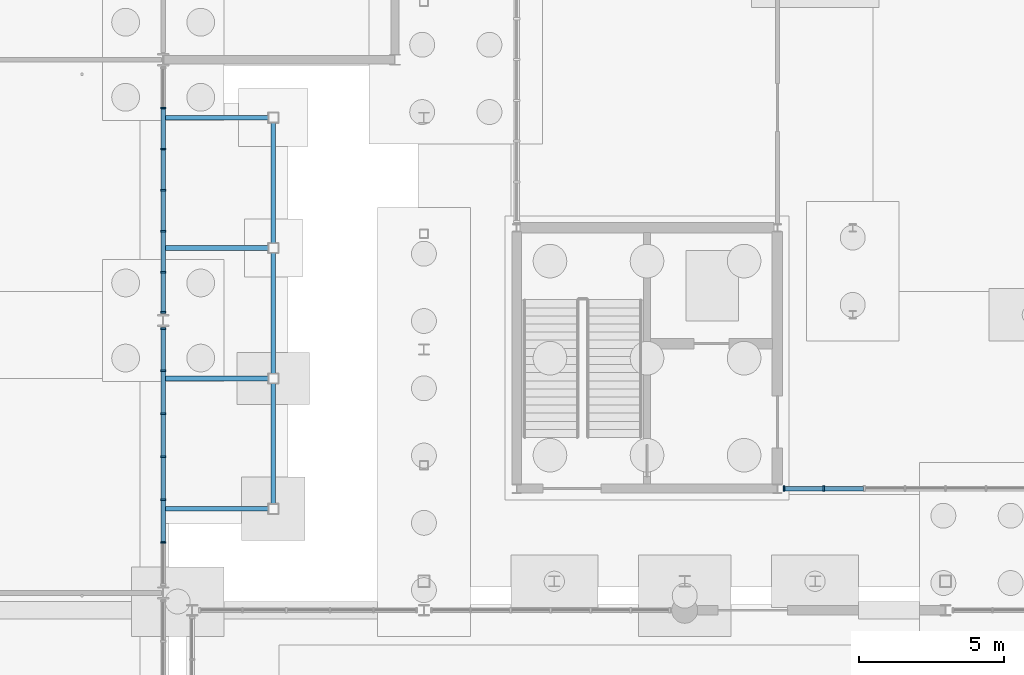
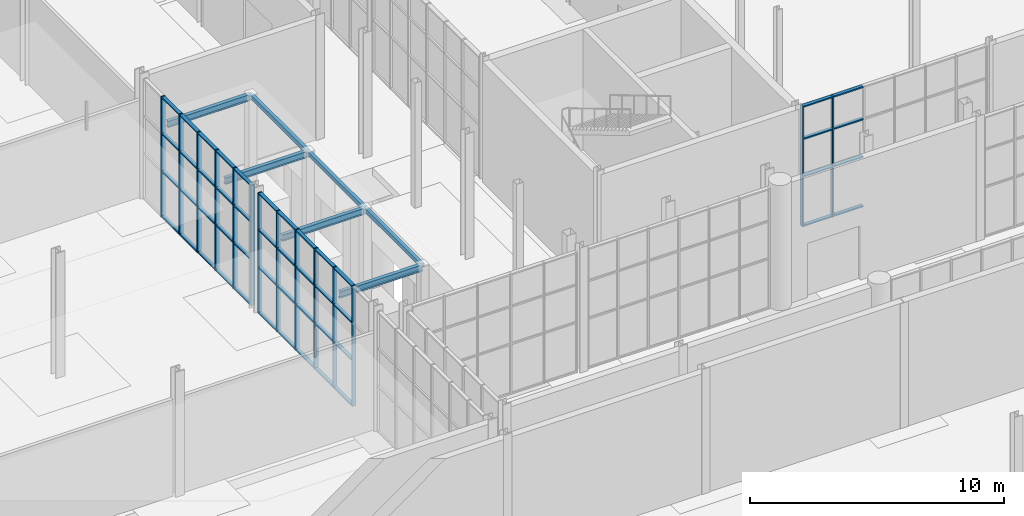
# One storey, part 51 of 131: 62 members, 7 beams, 3 elements without a shape of their own.
"""IFC4 building model written with IfcOpenShell, lengths in metres."""

from ifc_helpers import new_model, si_unit, direction, frame, origin, origin_2d, place, context, subcontext, project, spatial, rectangle, hollow_rectangle, i_section, extrude, material, layer, layer_set, material_profile, profile_set, type_object, element, aggregate, save


model = new_model("IFC4")

# Units and contexts
model_context = context("Model", 3, precision=1e-05, world=origin(), true_north=direction((0.0, 1.0)))
body_context = subcontext(model_context, "Body", "Model", "MODEL_VIEW")
ifc_project = project(units=[si_unit("LENGTHUNIT", "METRE"), si_unit("AREAUNIT", "SQUARE_METRE"), si_unit("VOLUMEUNIT", "CUBIC_METRE"), si_unit("PLANEANGLEUNIT", "RADIAN"), si_unit("MASSUNIT", "GRAM", prefix="KILO")], contexts=[model_context])

# Site, building, storey
site_placement = place(None, origin())
site = spatial("IfcSite", under=ifc_project, at=site_placement, CompositionType="ELEMENT")
building_placement = place(site_placement, origin())
building = spatial("IfcBuilding", under=site, at=building_placement, Name="Cazmaro Siding Exhibition Halls", CompositionType="ELEMENT")
storey_placement = place(building_placement, origin())
storey = spatial("IfcBuildingStorey", under=building, at=storey_placement, Name="L00", CompositionType="ELEMENT", Elevation=0.0)

# Curtain wall, members
ifc_material_1 = material(Name="Anodized Bronze Aluminum and Solar-Control Low-E Glazing", Category="aluminium")
ifc_layer = layer(ifc_material_1, 0.179931640625)
ifc_layer_set = layer_set([ifc_layer], Name="Anodized Bronze Aluminum and Solar-Control Low-E Glazing")
curtain_wall_type = type_object("IfcCurtainWallType", Name="CWS-01", PredefinedType="USERDEFINED", material=ifc_layer_set)
curtain_wall_1_placement = place(storey_placement, origin())
curtain_wall_1 = element("IfcCurtainWall", 1, at=curtain_wall_1_placement, inside=storey, type_object=curtain_wall_type, Name="Glazed Curtain Wall CWS-01 CW-003", ObjectType="GLAZED CURTAIN WALL", PredefinedType="USERDEFINED")
ifc_material_2 = material(Name="Anodized Bronze Extruded Aluminum", Category="aluminium")
ifc_material_profile_1 = material_profile(ifc_material_2, rectangle(XDim=0.179931640625, YDim=0.06005859375, at=origin_2d()), Name="CWM-01")
ifc_profile_set_1 = profile_set([ifc_material_profile_1], Name="Anodized Bronze Extruded Aluminum")
member_type_1 = type_object("IfcMemberType", Name="CWM-01", PredefinedType="MULLION", material=ifc_profile_set_1)
member_1_placement = place(storey_placement, frame((57.427001953125, 67.199951171875, 0.0), z_axis=(0.0, 0.0, 1.0), x_axis=(0.0, 1.0, 0.0)))
member_1 = element("IfcMember", 2, at=member_1_placement, type_object=member_type_1, Name="CWS-01 mullion 1", PredefinedType="MULLION", context=body_context, shape_type="SweptSolid", body=[
    extrude(rectangle(XDim=0.179931640625, YDim=0.06005859375, at=origin_2d()), origin(), (0.0, 0.0, 1.0), 5.780029296875),
])
member_2_placement = place(storey_placement, frame((58.798095703125, 67.199951171875, 0.0), z_axis=(0.0, 0.0, 1.0), x_axis=(0.0, 1.0, 0.0)))
member_2 = element("IfcMember", 3, at=member_2_placement, type_object=member_type_1, Name="CWS-01 mullion 2", PredefinedType="MULLION", context=body_context, shape_type="SweptSolid", body=[
    extrude(rectangle(XDim=0.179931640625, YDim=0.06005859375, at=origin_2d()), origin(), (0.0, 0.0, 1.0), 5.780029296875),
])

curtain_wall_2_placement = place(storey_placement, origin())
curtain_wall_2 = element("IfcCurtainWall", 4, at=curtain_wall_2_placement, inside=storey, type_object=curtain_wall_type, Name="Glazed Curtain Wall CWS-01 CW-225", ObjectType="GLAZED CURTAIN WALL", PredefinedType="USERDEFINED")
member_3_placement = place(storey_placement, frame((36.0, 65.33544921875, 0.0), z_axis=(0.0, 0.0, 1.0), x_axis=(-1.0, 0.0, 0.0)))
member_3 = element("IfcMember", 5, at=member_3_placement, type_object=member_type_1, Name="CWS-01 mullion 2", PredefinedType="MULLION", context=body_context, shape_type="SweptSolid", body=[
    extrude(rectangle(XDim=0.179931640625, YDim=0.06005859375, at=origin_2d()), origin(), (0.0, 0.0, 1.0), 5.780029296875),
])
member_4_placement = place(storey_placement, frame((36.0, 66.817626953125, 0.0), z_axis=(0.0, 0.0, 1.0), x_axis=(-1.0, 0.0, 0.0)))
member_4 = element("IfcMember", 6, at=member_4_placement, type_object=member_type_1, Name="CWS-01 mullion 3", PredefinedType="MULLION", context=body_context, shape_type="SweptSolid", body=[
    extrude(rectangle(XDim=0.179931640625, YDim=0.06005859375, at=origin_2d()), origin(), (0.0, 0.0, 1.0), 5.780029296875),
])
member_5_placement = place(storey_placement, frame((36.0, 68.300048828125, 0.0), z_axis=(0.0, 0.0, 1.0), x_axis=(-1.0, 0.0, 0.0)))
member_5 = element("IfcMember", 7, at=member_5_placement, type_object=member_type_1, Name="CWS-01 mullion 4", PredefinedType="MULLION", context=body_context, shape_type="SweptSolid", body=[
    extrude(rectangle(XDim=0.179931640625, YDim=0.06005859375, at=origin_2d()), origin(), (0.0, 0.0, 1.0), 5.780029296875),
])
member_6_placement = place(storey_placement, frame((36.0, 69.7822265625, 0.0), z_axis=(0.0, 0.0, 1.0), x_axis=(-1.0, 0.0, 0.0)))
member_6 = element("IfcMember", 8, at=member_6_placement, type_object=member_type_1, Name="CWS-01 mullion 5", PredefinedType="MULLION", context=body_context, shape_type="SweptSolid", body=[
    extrude(rectangle(XDim=0.179931640625, YDim=0.06005859375, at=origin_2d()), origin(), (0.0, 0.0, 1.0), 5.780029296875),
])
member_7_placement = place(storey_placement, frame((36.0, 71.2646484375, 0.0), z_axis=(0.0, 0.0, 1.0), x_axis=(-1.0, 0.0, 0.0)))
member_7 = element("IfcMember", 9, at=member_7_placement, type_object=member_type_1, Name="CWS-01 mullion 6", PredefinedType="MULLION", context=body_context, shape_type="SweptSolid", body=[
    extrude(rectangle(XDim=0.179931640625, YDim=0.06005859375, at=origin_2d()), origin(), (0.0, 0.0, 1.0), 5.780029296875),
])
member_8_placement = place(storey_placement, frame((36.0, 72.717041015625, 0.0), z_axis=(0.0, 0.0, 1.0), x_axis=(-1.0, 0.0, 0.0)))
member_8 = element("IfcMember", 10, at=member_8_placement, type_object=member_type_1, Name="CWS-01 mullion 7", PredefinedType="MULLION", context=body_context, shape_type="SweptSolid", body=[
    extrude(rectangle(XDim=0.179931640625, YDim=0.06005859375, at=origin_2d()), origin(), (0.0, 0.0, 1.0), 5.780029296875),
])

curtain_wall_3_placement = place(storey_placement, origin())
curtain_wall_3 = element("IfcCurtainWall", 11, at=curtain_wall_3_placement, inside=storey, type_object=curtain_wall_type, Name="Glazed Curtain Wall CWS-01 CW-226", ObjectType="GLAZED CURTAIN WALL", PredefinedType="USERDEFINED")
member_9_placement = place(storey_placement, frame((36.0, 73.282958984375, 0.0), z_axis=(0.0, 0.0, 1.0), x_axis=(-1.0, 0.0, 0.0)))
member_9 = element("IfcMember", 12, at=member_9_placement, type_object=member_type_1, Name="CWS-01 mullion 1", PredefinedType="MULLION", context=body_context, shape_type="SweptSolid", body=[
    extrude(rectangle(XDim=0.179931640625, YDim=0.06005859375, at=origin_2d()), origin(), (0.0, 0.0, 1.0), 5.780029296875),
])
member_10_placement = place(storey_placement, frame((36.0, 74.668701171875, 0.0), z_axis=(0.0, 0.0, 1.0), x_axis=(-1.0, 0.0, 0.0)))
member_10 = element("IfcMember", 13, at=member_10_placement, type_object=member_type_1, Name="CWS-01 mullion 2", PredefinedType="MULLION", context=body_context, shape_type="SweptSolid", body=[
    extrude(rectangle(XDim=0.179931640625, YDim=0.06005859375, at=origin_2d()), origin(), (0.0, 0.0, 1.0), 5.780029296875),
])
member_11_placement = place(storey_placement, frame((36.0, 76.084228515625, 0.0), z_axis=(0.0, 0.0, 1.0), x_axis=(-1.0, 0.0, 0.0)))
member_11 = element("IfcMember", 14, at=member_11_placement, type_object=member_type_1, Name="CWS-01 mullion 3", PredefinedType="MULLION", context=body_context, shape_type="SweptSolid", body=[
    extrude(rectangle(XDim=0.179931640625, YDim=0.06005859375, at=origin_2d()), origin(), (0.0, 0.0, 1.0), 5.780029296875),
])
member_12_placement = place(storey_placement, frame((36.0, 77.5, 0.0), z_axis=(0.0, 0.0, 1.0), x_axis=(-1.0, 0.0, 0.0)))
member_12 = element("IfcMember", 15, at=member_12_placement, type_object=member_type_1, Name="CWS-01 mullion 4", PredefinedType="MULLION", context=body_context, shape_type="SweptSolid", body=[
    extrude(rectangle(XDim=0.179931640625, YDim=0.06005859375, at=origin_2d()), origin(), (0.0, 0.0, 1.0), 5.780029296875),
])
member_13_placement = place(storey_placement, frame((36.0, 78.915771484375, 0.0), z_axis=(0.0, 0.0, 1.0), x_axis=(-1.0, 0.0, 0.0)))
member_13 = element("IfcMember", 16, at=member_13_placement, type_object=member_type_1, Name="CWS-01 mullion 5", PredefinedType="MULLION", context=body_context, shape_type="SweptSolid", body=[
    extrude(rectangle(XDim=0.179931640625, YDim=0.06005859375, at=origin_2d()), origin(), (0.0, 0.0, 1.0), 5.780029296875),
])
member_14_placement = place(storey_placement, frame((36.0, 80.331298828125, 0.0), z_axis=(0.0, 0.0, 1.0), x_axis=(-1.0, 0.0, 0.0)))
member_14 = element("IfcMember", 17, at=member_14_placement, type_object=member_type_1, Name="CWS-01 mullion 6", PredefinedType="MULLION", context=body_context, shape_type="SweptSolid", body=[
    extrude(rectangle(XDim=0.179931640625, YDim=0.06005859375, at=origin_2d()), origin(), (0.0, 0.0, 1.0), 5.780029296875),
])

# Member
ifc_material_3 = material(Name="Anodized Bronze Extruded Aluminum", Category="aluminium")
ifc_material_profile_2 = material_profile(ifc_material_3, rectangle(XDim=0.159912109375, YDim=0.06005859375, at=origin_2d()), Name="CWT-01")
ifc_profile_set_2 = profile_set([ifc_material_profile_2], Name="Anodized Bronze Extruded Aluminum")
member_type_2 = type_object("IfcMemberType", Name="CWT-01", PredefinedType="MULLION", material=ifc_profile_set_2)
member_15_placement = place(storey_placement, frame((57.45703125, 67.199951171875, 0.030029296875), z_axis=(1.0, 0.0, 0.0), x_axis=(0.0, 1.0, 0.0)))
member_15 = element("IfcMember", 18, at=member_15_placement, type_object=member_type_2, Name="CWS-01 transom 1.1", ObjectType="TRANSOM", PredefinedType="USERDEFINED", context=body_context, shape_type="SweptSolid", body=[
    extrude(rectangle(XDim=0.159912109375, YDim=0.06005859375, at=origin_2d()), origin(), (0.0, 0.0, 1.0), 1.31103515625),
])

member_16_placement = place(storey_placement, frame((57.45703125, 67.199951171875, 2.39990234375), z_axis=(1.0, 0.0, 0.0), x_axis=(0.0, 1.0, 0.0)))
member_16 = element("IfcMember", 19, at=member_16_placement, type_object=member_type_2, Name="CWS-01 transom 1.2", ObjectType="TRANSOM", PredefinedType="USERDEFINED", context=body_context, shape_type="SweptSolid", body=[
    extrude(rectangle(XDim=0.159912109375, YDim=0.06005859375, at=origin_2d()), origin(), (0.0, 0.0, 1.0), 1.31103515625),
])

member_17_placement = place(storey_placement, frame((57.45703125, 67.199951171875, 4.199951171875), z_axis=(1.0, 0.0, 0.0), x_axis=(0.0, 1.0, 0.0)))
member_17 = element("IfcMember", 20, at=member_17_placement, type_object=member_type_2, Name="CWS-01 transom 1.3", ObjectType="TRANSOM", PredefinedType="USERDEFINED", context=body_context, shape_type="SweptSolid", body=[
    extrude(rectangle(XDim=0.159912109375, YDim=0.06005859375, at=origin_2d()), origin(), (0.0, 0.0, 1.0), 1.31103515625),
])

member_18_placement = place(storey_placement, frame((57.45703125, 67.199951171875, 5.75), z_axis=(1.0, 0.0, 0.0), x_axis=(0.0, 1.0, 0.0)))
member_18 = element("IfcMember", 21, at=member_18_placement, type_object=member_type_2, Name="CWS-01 transom 1.4", ObjectType="TRANSOM", PredefinedType="USERDEFINED", context=body_context, shape_type="SweptSolid", body=[
    extrude(rectangle(XDim=0.159912109375, YDim=0.06005859375, at=origin_2d()), origin(), (0.0, 0.0, 1.0), 1.31103515625),
])

member_19_placement = place(storey_placement, frame((58.827880859375, 67.199951171875, 0.030029296875), z_axis=(1.0, 0.0, 0.0), x_axis=(0.0, 1.0, 0.0)))
member_19 = element("IfcMember", 22, at=member_19_placement, type_object=member_type_2, Name="CWS-01 transom 2.1", ObjectType="TRANSOM", PredefinedType="USERDEFINED", context=body_context, shape_type="SweptSolid", body=[
    extrude(rectangle(XDim=0.159912109375, YDim=0.06005859375, at=origin_2d()), origin(), (0.0, 0.0, 1.0), 1.341064453125),
])

member_20_placement = place(storey_placement, frame((58.827880859375, 67.199951171875, 2.39990234375), z_axis=(1.0, 0.0, 0.0), x_axis=(0.0, 1.0, 0.0)))
member_20 = element("IfcMember", 23, at=member_20_placement, type_object=member_type_2, Name="CWS-01 transom 2.2", ObjectType="TRANSOM", PredefinedType="USERDEFINED", context=body_context, shape_type="SweptSolid", body=[
    extrude(rectangle(XDim=0.159912109375, YDim=0.06005859375, at=origin_2d()), origin(), (0.0, 0.0, 1.0), 1.341064453125),
])

member_21_placement = place(storey_placement, frame((58.827880859375, 67.199951171875, 4.199951171875), z_axis=(1.0, 0.0, 0.0), x_axis=(0.0, 1.0, 0.0)))
member_21 = element("IfcMember", 24, at=member_21_placement, type_object=member_type_2, Name="CWS-01 transom 2.3", ObjectType="TRANSOM", PredefinedType="USERDEFINED", context=body_context, shape_type="SweptSolid", body=[
    extrude(rectangle(XDim=0.159912109375, YDim=0.06005859375, at=origin_2d()), origin(), (0.0, 0.0, 1.0), 1.341064453125),
])

member_22_placement = place(storey_placement, frame((58.827880859375, 67.199951171875, 5.75), z_axis=(1.0, 0.0, 0.0), x_axis=(0.0, 1.0, 0.0)))
member_22 = element("IfcMember", 25, at=member_22_placement, type_object=member_type_2, Name="CWS-01 transom 2.4", ObjectType="TRANSOM", PredefinedType="USERDEFINED", context=body_context, shape_type="SweptSolid", body=[
    extrude(rectangle(XDim=0.159912109375, YDim=0.06005859375, at=origin_2d()), origin(), (0.0, 0.0, 1.0), 1.341064453125),
])

aggregate(curtain_wall_1, [member_1, member_2, member_15, member_16, member_17, member_18, member_19, member_20, member_21, member_22])

member_23_placement = place(storey_placement, frame((36.0, 65.365234375, 0.030029296875), z_axis=(0.0, 1.0, 0.0), x_axis=(-1.0, 0.0, 0.0)))
member_23 = element("IfcMember", 26, at=member_23_placement, type_object=member_type_2, Name="CWS-01 transom 2.1", ObjectType="TRANSOM", PredefinedType="USERDEFINED", context=body_context, shape_type="SweptSolid", body=[
    extrude(rectangle(XDim=0.159912109375, YDim=0.06005859375, at=origin_2d()), origin(), (0.0, 0.0, 1.0), 1.42236328125),
])

member_24_placement = place(storey_placement, frame((36.0, 65.365234375, 2.199951171875), z_axis=(0.0, 1.0, 0.0), x_axis=(-1.0, 0.0, 0.0)))
member_24 = element("IfcMember", 27, at=member_24_placement, type_object=member_type_2, Name="CWS-01 transom 2.2", ObjectType="TRANSOM", PredefinedType="USERDEFINED", context=body_context, shape_type="SweptSolid", body=[
    extrude(rectangle(XDim=0.159912109375, YDim=0.06005859375, at=origin_2d()), origin(), (0.0, 0.0, 1.0), 1.42236328125),
])

member_25_placement = place(storey_placement, frame((36.0, 65.365234375, 4.0), z_axis=(0.0, 1.0, 0.0), x_axis=(-1.0, 0.0, 0.0)))
member_25 = element("IfcMember", 28, at=member_25_placement, type_object=member_type_2, Name="CWS-01 transom 2.3", ObjectType="TRANSOM", PredefinedType="USERDEFINED", context=body_context, shape_type="SweptSolid", body=[
    extrude(rectangle(XDim=0.159912109375, YDim=0.06005859375, at=origin_2d()), origin(), (0.0, 0.0, 1.0), 1.42236328125),
])

member_26_placement = place(storey_placement, frame((36.0, 65.365234375, 5.75), z_axis=(0.0, 1.0, 0.0), x_axis=(-1.0, 0.0, 0.0)))
member_26 = element("IfcMember", 29, at=member_26_placement, type_object=member_type_2, Name="CWS-01 transom 2.4", ObjectType="TRANSOM", PredefinedType="USERDEFINED", context=body_context, shape_type="SweptSolid", body=[
    extrude(rectangle(XDim=0.159912109375, YDim=0.06005859375, at=origin_2d()), origin(), (0.0, 0.0, 1.0), 1.42236328125),
])

member_27_placement = place(storey_placement, frame((36.0, 66.84765625, 0.030029296875), z_axis=(0.0, 1.0, 0.0), x_axis=(-1.0, 0.0, 0.0)))
member_27 = element("IfcMember", 30, at=member_27_placement, type_object=member_type_2, Name="CWS-01 transom 3.1", ObjectType="TRANSOM", PredefinedType="USERDEFINED", context=body_context, shape_type="SweptSolid", body=[
    extrude(rectangle(XDim=0.159912109375, YDim=0.06005859375, at=origin_2d()), origin(), (0.0, 0.0, 1.0), 1.42236328125),
])

member_28_placement = place(storey_placement, frame((36.0, 66.84765625, 2.199951171875), z_axis=(0.0, 1.0, 0.0), x_axis=(-1.0, 0.0, 0.0)))
member_28 = element("IfcMember", 31, at=member_28_placement, type_object=member_type_2, Name="CWS-01 transom 3.2", ObjectType="TRANSOM", PredefinedType="USERDEFINED", context=body_context, shape_type="SweptSolid", body=[
    extrude(rectangle(XDim=0.159912109375, YDim=0.06005859375, at=origin_2d()), origin(), (0.0, 0.0, 1.0), 1.42236328125),
])

member_29_placement = place(storey_placement, frame((36.0, 66.84765625, 4.0), z_axis=(0.0, 1.0, 0.0), x_axis=(-1.0, 0.0, 0.0)))
member_29 = element("IfcMember", 32, at=member_29_placement, type_object=member_type_2, Name="CWS-01 transom 3.3", ObjectType="TRANSOM", PredefinedType="USERDEFINED", context=body_context, shape_type="SweptSolid", body=[
    extrude(rectangle(XDim=0.159912109375, YDim=0.06005859375, at=origin_2d()), origin(), (0.0, 0.0, 1.0), 1.42236328125),
])

member_30_placement = place(storey_placement, frame((36.0, 66.84765625, 5.75), z_axis=(0.0, 1.0, 0.0), x_axis=(-1.0, 0.0, 0.0)))
member_30 = element("IfcMember", 33, at=member_30_placement, type_object=member_type_2, Name="CWS-01 transom 3.4", ObjectType="TRANSOM", PredefinedType="USERDEFINED", context=body_context, shape_type="SweptSolid", body=[
    extrude(rectangle(XDim=0.159912109375, YDim=0.06005859375, at=origin_2d()), origin(), (0.0, 0.0, 1.0), 1.42236328125),
])

member_31_placement = place(storey_placement, frame((36.0, 68.330078125, 0.030029296875), z_axis=(0.0, 1.0, 0.0), x_axis=(-1.0, 0.0, 0.0)))
member_31 = element("IfcMember", 34, at=member_31_placement, type_object=member_type_2, Name="CWS-01 transom 4.1", ObjectType="TRANSOM", PredefinedType="USERDEFINED", context=body_context, shape_type="SweptSolid", body=[
    extrude(rectangle(XDim=0.159912109375, YDim=0.06005859375, at=origin_2d()), origin(), (0.0, 0.0, 1.0), 1.42236328125),
])

member_32_placement = place(storey_placement, frame((36.0, 68.330078125, 2.199951171875), z_axis=(0.0, 1.0, 0.0), x_axis=(-1.0, 0.0, 0.0)))
member_32 = element("IfcMember", 35, at=member_32_placement, type_object=member_type_2, Name="CWS-01 transom 4.2", ObjectType="TRANSOM", PredefinedType="USERDEFINED", context=body_context, shape_type="SweptSolid", body=[
    extrude(rectangle(XDim=0.159912109375, YDim=0.06005859375, at=origin_2d()), origin(), (0.0, 0.0, 1.0), 1.42236328125),
])

member_33_placement = place(storey_placement, frame((36.0, 68.330078125, 4.0), z_axis=(0.0, 1.0, 0.0), x_axis=(-1.0, 0.0, 0.0)))
member_33 = element("IfcMember", 36, at=member_33_placement, type_object=member_type_2, Name="CWS-01 transom 4.3", ObjectType="TRANSOM", PredefinedType="USERDEFINED", context=body_context, shape_type="SweptSolid", body=[
    extrude(rectangle(XDim=0.159912109375, YDim=0.06005859375, at=origin_2d()), origin(), (0.0, 0.0, 1.0), 1.42236328125),
])

member_34_placement = place(storey_placement, frame((36.0, 68.330078125, 5.75), z_axis=(0.0, 1.0, 0.0), x_axis=(-1.0, 0.0, 0.0)))
member_34 = element("IfcMember", 37, at=member_34_placement, type_object=member_type_2, Name="CWS-01 transom 4.4", ObjectType="TRANSOM", PredefinedType="USERDEFINED", context=body_context, shape_type="SweptSolid", body=[
    extrude(rectangle(XDim=0.159912109375, YDim=0.06005859375, at=origin_2d()), origin(), (0.0, 0.0, 1.0), 1.42236328125),
])

member_35_placement = place(storey_placement, frame((36.0, 69.812255859375, 0.030029296875), z_axis=(0.0, 1.0, 0.0), x_axis=(-1.0, 0.0, 0.0)))
member_35 = element("IfcMember", 38, at=member_35_placement, type_object=member_type_2, Name="CWS-01 transom 5.1", ObjectType="TRANSOM", PredefinedType="USERDEFINED", context=body_context, shape_type="SweptSolid", body=[
    extrude(rectangle(XDim=0.159912109375, YDim=0.06005859375, at=origin_2d()), origin(), (0.0, 0.0, 1.0), 1.42236328125),
])

member_36_placement = place(storey_placement, frame((36.0, 69.812255859375, 2.199951171875), z_axis=(0.0, 1.0, 0.0), x_axis=(-1.0, 0.0, 0.0)))
member_36 = element("IfcMember", 39, at=member_36_placement, type_object=member_type_2, Name="CWS-01 transom 5.2", ObjectType="TRANSOM", PredefinedType="USERDEFINED", context=body_context, shape_type="SweptSolid", body=[
    extrude(rectangle(XDim=0.159912109375, YDim=0.06005859375, at=origin_2d()), origin(), (0.0, 0.0, 1.0), 1.42236328125),
])

member_37_placement = place(storey_placement, frame((36.0, 69.812255859375, 4.0), z_axis=(0.0, 1.0, 0.0), x_axis=(-1.0, 0.0, 0.0)))
member_37 = element("IfcMember", 40, at=member_37_placement, type_object=member_type_2, Name="CWS-01 transom 5.3", ObjectType="TRANSOM", PredefinedType="USERDEFINED", context=body_context, shape_type="SweptSolid", body=[
    extrude(rectangle(XDim=0.159912109375, YDim=0.06005859375, at=origin_2d()), origin(), (0.0, 0.0, 1.0), 1.42236328125),
])

member_38_placement = place(storey_placement, frame((36.0, 69.812255859375, 5.75), z_axis=(0.0, 1.0, 0.0), x_axis=(-1.0, 0.0, 0.0)))
member_38 = element("IfcMember", 41, at=member_38_placement, type_object=member_type_2, Name="CWS-01 transom 5.4", ObjectType="TRANSOM", PredefinedType="USERDEFINED", context=body_context, shape_type="SweptSolid", body=[
    extrude(rectangle(XDim=0.159912109375, YDim=0.06005859375, at=origin_2d()), origin(), (0.0, 0.0, 1.0), 1.42236328125),
])

member_39_placement = place(storey_placement, frame((36.0, 71.294677734375, 0.030029296875), z_axis=(0.0, 1.0, 0.0), x_axis=(-1.0, 0.0, 0.0)))
member_39 = element("IfcMember", 42, at=member_39_placement, type_object=member_type_2, Name="CWS-01 transom 6.1", ObjectType="TRANSOM", PredefinedType="USERDEFINED", context=body_context, shape_type="SweptSolid", body=[
    extrude(rectangle(XDim=0.159912109375, YDim=0.06005859375, at=origin_2d()), origin(), (0.0, 0.0, 1.0), 1.392333984375),
])

member_40_placement = place(storey_placement, frame((36.0, 71.294677734375, 2.199951171875), z_axis=(0.0, 1.0, 0.0), x_axis=(-1.0, 0.0, 0.0)))
member_40 = element("IfcMember", 43, at=member_40_placement, type_object=member_type_2, Name="CWS-01 transom 6.2", ObjectType="TRANSOM", PredefinedType="USERDEFINED", context=body_context, shape_type="SweptSolid", body=[
    extrude(rectangle(XDim=0.159912109375, YDim=0.06005859375, at=origin_2d()), origin(), (0.0, 0.0, 1.0), 1.392333984375),
])

member_41_placement = place(storey_placement, frame((36.0, 71.294677734375, 4.0), z_axis=(0.0, 1.0, 0.0), x_axis=(-1.0, 0.0, 0.0)))
member_41 = element("IfcMember", 44, at=member_41_placement, type_object=member_type_2, Name="CWS-01 transom 6.3", ObjectType="TRANSOM", PredefinedType="USERDEFINED", context=body_context, shape_type="SweptSolid", body=[
    extrude(rectangle(XDim=0.159912109375, YDim=0.06005859375, at=origin_2d()), origin(), (0.0, 0.0, 1.0), 1.392333984375),
])

member_42_placement = place(storey_placement, frame((36.0, 71.294677734375, 5.75), z_axis=(0.0, 1.0, 0.0), x_axis=(-1.0, 0.0, 0.0)))
member_42 = element("IfcMember", 45, at=member_42_placement, type_object=member_type_2, Name="CWS-01 transom 6.4", ObjectType="TRANSOM", PredefinedType="USERDEFINED", context=body_context, shape_type="SweptSolid", body=[
    extrude(rectangle(XDim=0.159912109375, YDim=0.06005859375, at=origin_2d()), origin(), (0.0, 0.0, 1.0), 1.392333984375),
])

aggregate(curtain_wall_2, [member_3, member_4, member_5, member_6, member_7, member_8, member_23, member_24, member_25, member_26, member_27, member_28, member_29, member_30, member_31, member_32, member_33, member_34, member_35, member_36, member_37, member_38, member_39, member_40, member_41, member_42])

member_43_placement = place(storey_placement, frame((36.0, 73.31298828125, 0.030029296875), z_axis=(0.0, 1.0, 0.0), x_axis=(-1.0, 0.0, 0.0)))
member_43 = element("IfcMember", 46, at=member_43_placement, type_object=member_type_2, Name="CWS-01 transom 1.1", ObjectType="TRANSOM", PredefinedType="USERDEFINED", context=body_context, shape_type="SweptSolid", body=[
    extrude(rectangle(XDim=0.159912109375, YDim=0.06005859375, at=origin_2d()), origin(), (0.0, 0.0, 1.0), 1.32568359375),
])

member_44_placement = place(storey_placement, frame((36.0, 73.31298828125, 2.199951171875), z_axis=(0.0, 1.0, 0.0), x_axis=(-1.0, 0.0, 0.0)))
member_44 = element("IfcMember", 47, at=member_44_placement, type_object=member_type_2, Name="CWS-01 transom 1.2", ObjectType="TRANSOM", PredefinedType="USERDEFINED", context=body_context, shape_type="SweptSolid", body=[
    extrude(rectangle(XDim=0.159912109375, YDim=0.06005859375, at=origin_2d()), origin(), (0.0, 0.0, 1.0), 1.32568359375),
])

member_45_placement = place(storey_placement, frame((36.0, 73.31298828125, 4.0), z_axis=(0.0, 1.0, 0.0), x_axis=(-1.0, 0.0, 0.0)))
member_45 = element("IfcMember", 48, at=member_45_placement, type_object=member_type_2, Name="CWS-01 transom 1.3", ObjectType="TRANSOM", PredefinedType="USERDEFINED", context=body_context, shape_type="SweptSolid", body=[
    extrude(rectangle(XDim=0.159912109375, YDim=0.06005859375, at=origin_2d()), origin(), (0.0, 0.0, 1.0), 1.32568359375),
])

member_46_placement = place(storey_placement, frame((36.0, 73.31298828125, 5.75), z_axis=(0.0, 1.0, 0.0), x_axis=(-1.0, 0.0, 0.0)))
member_46 = element("IfcMember", 49, at=member_46_placement, type_object=member_type_2, Name="CWS-01 transom 1.4", ObjectType="TRANSOM", PredefinedType="USERDEFINED", context=body_context, shape_type="SweptSolid", body=[
    extrude(rectangle(XDim=0.159912109375, YDim=0.06005859375, at=origin_2d()), origin(), (0.0, 0.0, 1.0), 1.32568359375),
])

member_47_placement = place(storey_placement, frame((36.0, 74.69873046875, 0.030029296875), z_axis=(0.0, 1.0, 0.0), x_axis=(-1.0, 0.0, 0.0)))
member_47 = element("IfcMember", 50, at=member_47_placement, type_object=member_type_2, Name="CWS-01 transom 2.1", ObjectType="TRANSOM", PredefinedType="USERDEFINED", context=body_context, shape_type="SweptSolid", body=[
    extrude(rectangle(XDim=0.159912109375, YDim=0.06005859375, at=origin_2d()), origin(), (0.0, 0.0, 1.0), 1.355712890625),
])

member_48_placement = place(storey_placement, frame((36.0, 74.69873046875, 2.199951171875), z_axis=(0.0, 1.0, 0.0), x_axis=(-1.0, 0.0, 0.0)))
member_48 = element("IfcMember", 51, at=member_48_placement, type_object=member_type_2, Name="CWS-01 transom 2.2", ObjectType="TRANSOM", PredefinedType="USERDEFINED", context=body_context, shape_type="SweptSolid", body=[
    extrude(rectangle(XDim=0.159912109375, YDim=0.06005859375, at=origin_2d()), origin(), (0.0, 0.0, 1.0), 1.355712890625),
])

member_49_placement = place(storey_placement, frame((36.0, 74.69873046875, 4.0), z_axis=(0.0, 1.0, 0.0), x_axis=(-1.0, 0.0, 0.0)))
member_49 = element("IfcMember", 52, at=member_49_placement, type_object=member_type_2, Name="CWS-01 transom 2.3", ObjectType="TRANSOM", PredefinedType="USERDEFINED", context=body_context, shape_type="SweptSolid", body=[
    extrude(rectangle(XDim=0.159912109375, YDim=0.06005859375, at=origin_2d()), origin(), (0.0, 0.0, 1.0), 1.355712890625),
])

member_50_placement = place(storey_placement, frame((36.0, 74.69873046875, 5.75), z_axis=(0.0, 1.0, 0.0), x_axis=(-1.0, 0.0, 0.0)))
member_50 = element("IfcMember", 53, at=member_50_placement, type_object=member_type_2, Name="CWS-01 transom 2.4", ObjectType="TRANSOM", PredefinedType="USERDEFINED", context=body_context, shape_type="SweptSolid", body=[
    extrude(rectangle(XDim=0.159912109375, YDim=0.06005859375, at=origin_2d()), origin(), (0.0, 0.0, 1.0), 1.355712890625),
])

member_51_placement = place(storey_placement, frame((36.0, 76.1142578125, 0.030029296875), z_axis=(0.0, 1.0, 0.0), x_axis=(-1.0, 0.0, 0.0)))
member_51 = element("IfcMember", 54, at=member_51_placement, type_object=member_type_2, Name="CWS-01 transom 3.1", ObjectType="TRANSOM", PredefinedType="USERDEFINED", context=body_context, shape_type="SweptSolid", body=[
    extrude(rectangle(XDim=0.159912109375, YDim=0.06005859375, at=origin_2d()), origin(), (0.0, 0.0, 1.0), 1.355712890625),
])

member_52_placement = place(storey_placement, frame((36.0, 76.1142578125, 2.199951171875), z_axis=(0.0, 1.0, 0.0), x_axis=(-1.0, 0.0, 0.0)))
member_52 = element("IfcMember", 55, at=member_52_placement, type_object=member_type_2, Name="CWS-01 transom 3.2", ObjectType="TRANSOM", PredefinedType="USERDEFINED", context=body_context, shape_type="SweptSolid", body=[
    extrude(rectangle(XDim=0.159912109375, YDim=0.06005859375, at=origin_2d()), origin(), (0.0, 0.0, 1.0), 1.355712890625),
])

member_53_placement = place(storey_placement, frame((36.0, 76.1142578125, 4.0), z_axis=(0.0, 1.0, 0.0), x_axis=(-1.0, 0.0, 0.0)))
member_53 = element("IfcMember", 56, at=member_53_placement, type_object=member_type_2, Name="CWS-01 transom 3.3", ObjectType="TRANSOM", PredefinedType="USERDEFINED", context=body_context, shape_type="SweptSolid", body=[
    extrude(rectangle(XDim=0.159912109375, YDim=0.06005859375, at=origin_2d()), origin(), (0.0, 0.0, 1.0), 1.355712890625),
])

member_54_placement = place(storey_placement, frame((36.0, 76.1142578125, 5.75), z_axis=(0.0, 1.0, 0.0), x_axis=(-1.0, 0.0, 0.0)))
member_54 = element("IfcMember", 57, at=member_54_placement, type_object=member_type_2, Name="CWS-01 transom 3.4", ObjectType="TRANSOM", PredefinedType="USERDEFINED", context=body_context, shape_type="SweptSolid", body=[
    extrude(rectangle(XDim=0.159912109375, YDim=0.06005859375, at=origin_2d()), origin(), (0.0, 0.0, 1.0), 1.355712890625),
])

member_55_placement = place(storey_placement, frame((36.0, 77.530029296875, 0.030029296875), z_axis=(0.0, 1.0, 0.0), x_axis=(-1.0, 0.0, 0.0)))
member_55 = element("IfcMember", 58, at=member_55_placement, type_object=member_type_2, Name="CWS-01 transom 4.1", ObjectType="TRANSOM", PredefinedType="USERDEFINED", context=body_context, shape_type="SweptSolid", body=[
    extrude(rectangle(XDim=0.159912109375, YDim=0.06005859375, at=origin_2d()), origin(), (0.0, 0.0, 1.0), 1.355712890625),
])

member_56_placement = place(storey_placement, frame((36.0, 77.530029296875, 2.199951171875), z_axis=(0.0, 1.0, 0.0), x_axis=(-1.0, 0.0, 0.0)))
member_56 = element("IfcMember", 59, at=member_56_placement, type_object=member_type_2, Name="CWS-01 transom 4.2", ObjectType="TRANSOM", PredefinedType="USERDEFINED", context=body_context, shape_type="SweptSolid", body=[
    extrude(rectangle(XDim=0.159912109375, YDim=0.06005859375, at=origin_2d()), origin(), (0.0, 0.0, 1.0), 1.355712890625),
])

member_57_placement = place(storey_placement, frame((36.0, 77.530029296875, 4.0), z_axis=(0.0, 1.0, 0.0), x_axis=(-1.0, 0.0, 0.0)))
member_57 = element("IfcMember", 60, at=member_57_placement, type_object=member_type_2, Name="CWS-01 transom 4.3", ObjectType="TRANSOM", PredefinedType="USERDEFINED", context=body_context, shape_type="SweptSolid", body=[
    extrude(rectangle(XDim=0.159912109375, YDim=0.06005859375, at=origin_2d()), origin(), (0.0, 0.0, 1.0), 1.355712890625),
])

member_58_placement = place(storey_placement, frame((36.0, 77.530029296875, 5.75), z_axis=(0.0, 1.0, 0.0), x_axis=(-1.0, 0.0, 0.0)))
member_58 = element("IfcMember", 61, at=member_58_placement, type_object=member_type_2, Name="CWS-01 transom 4.4", ObjectType="TRANSOM", PredefinedType="USERDEFINED", context=body_context, shape_type="SweptSolid", body=[
    extrude(rectangle(XDim=0.159912109375, YDim=0.06005859375, at=origin_2d()), origin(), (0.0, 0.0, 1.0), 1.355712890625),
])

member_59_placement = place(storey_placement, frame((36.0, 78.945556640625, 0.030029296875), z_axis=(0.0, 1.0, 0.0), x_axis=(-1.0, 0.0, 0.0)))
member_59 = element("IfcMember", 62, at=member_59_placement, type_object=member_type_2, Name="CWS-01 transom 5.1", ObjectType="TRANSOM", PredefinedType="USERDEFINED", context=body_context, shape_type="SweptSolid", body=[
    extrude(rectangle(XDim=0.159912109375, YDim=0.06005859375, at=origin_2d()), origin(), (0.0, 0.0, 1.0), 1.355712890625),
])

member_60_placement = place(storey_placement, frame((36.0, 78.945556640625, 2.199951171875), z_axis=(0.0, 1.0, 0.0), x_axis=(-1.0, 0.0, 0.0)))
member_60 = element("IfcMember", 63, at=member_60_placement, type_object=member_type_2, Name="CWS-01 transom 5.2", ObjectType="TRANSOM", PredefinedType="USERDEFINED", context=body_context, shape_type="SweptSolid", body=[
    extrude(rectangle(XDim=0.159912109375, YDim=0.06005859375, at=origin_2d()), origin(), (0.0, 0.0, 1.0), 1.355712890625),
])

member_61_placement = place(storey_placement, frame((36.0, 78.945556640625, 4.0), z_axis=(0.0, 1.0, 0.0), x_axis=(-1.0, 0.0, 0.0)))
member_61 = element("IfcMember", 64, at=member_61_placement, type_object=member_type_2, Name="CWS-01 transom 5.3", ObjectType="TRANSOM", PredefinedType="USERDEFINED", context=body_context, shape_type="SweptSolid", body=[
    extrude(rectangle(XDim=0.159912109375, YDim=0.06005859375, at=origin_2d()), origin(), (0.0, 0.0, 1.0), 1.355712890625),
])

member_62_placement = place(storey_placement, frame((36.0, 78.945556640625, 5.75), z_axis=(0.0, 1.0, 0.0), x_axis=(-1.0, 0.0, 0.0)))
member_62 = element("IfcMember", 65, at=member_62_placement, type_object=member_type_2, Name="CWS-01 transom 5.4", ObjectType="TRANSOM", PredefinedType="USERDEFINED", context=body_context, shape_type="SweptSolid", body=[
    extrude(rectangle(XDim=0.159912109375, YDim=0.06005859375, at=origin_2d()), origin(), (0.0, 0.0, 1.0), 1.355712890625),
])

aggregate(curtain_wall_3, [member_9, member_10, member_11, member_12, member_13, member_14, member_43, member_44, member_45, member_46, member_47, member_48, member_49, member_50, member_51, member_52, member_53, member_54, member_55, member_56, member_57, member_58, member_59, member_60, member_61, member_62])

# Beams
ifc_material_4 = material(Name="Steel ASTM A500 Grade C", Category="steel")
ifc_material_profile_3 = material_profile(ifc_material_4, hollow_rectangle(XDim=0.152099609375, YDim=0.202880859375, WallThickness=0.011962890625, at=origin_2d()), Name="HSS8X6X1/2")
ifc_profile_set_3 = profile_set([ifc_material_profile_3], Name="Steel ASTM A500 Grade C")
beam_type_1 = type_object("IfcBeamType", Name="LN-01", PredefinedType="LINTEL", material=ifc_profile_set_3)
for number, where, z_axis, x_axis, name in (
    (66, (39.800048828125, 66.5, 4.698974609375), (0.0, 1.0, 0.0), (-1.0, 0.0, 0.0), "West Forecourt Canopy Edge Beam LN-01 BM-2471"),
    (67, (39.800048828125, 71.0, 4.698974609375), (0.0, 1.0, 0.0), (-1.0, 0.0, 0.0), "West Forecourt Canopy Edge Beam LN-01 BM-2472"),
    (68, (39.800048828125, 75.5, 4.698974609375), (0.0, 1.0, 0.0), (-1.0, 0.0, 0.0), "West Forecourt Canopy Edge Beam LN-01 BM-2473"),
):
    element("IfcBeam", number, at=place(storey_placement, frame(where, z_axis=z_axis, x_axis=x_axis)), inside=storey, type_object=beam_type_1, Name=name, PredefinedType="LINTEL", context=body_context, shape_type="SweptSolid", body=[
        extrude(hollow_rectangle(XDim=0.152099609375, YDim=0.202880859375, WallThickness=0.011962890625, at=origin_2d()), origin(), (0.0, 0.0, 1.0), 4.5),
    ])
ifc_material_5 = material(Name="Steel ASTM A992 Grade 50", Category="steel")
ifc_material_profile_4 = material_profile(ifc_material_5, i_section(OverallWidth=0.1650390625, OverallDepth=0.31005859375, WebThickness=0.006103515625, FlangeThickness=0.010009765625, at=origin_2d()), Name="W12X26")
ifc_profile_set_4 = profile_set([ifc_material_profile_4], Name="Steel ASTM A992 Grade 50")
beam_type_2 = type_object("IfcBeamType", Name="LN-02", PredefinedType="LINTEL", material=ifc_profile_set_4)
for number, where, z_axis, x_axis, name in (
    (69, (36.0, 66.5, 4.64501953125), (1.0, 0.0, 0.0), (0.0, 1.0, 0.0), "West Forecourt Canopy Beam LN-02 BM-2467"),
    (70, (36.0, 71.0, 4.64501953125), (1.0, 0.0, 0.0), (0.0, 1.0, 0.0), "West Forecourt Canopy Beam LN-02 BM-2468"),
    (71, (36.0, 75.5, 4.64501953125), (1.0, 0.0, 0.0), (0.0, 1.0, 0.0), "West Forecourt Canopy Beam LN-02 BM-2469"),
    (72, (36.0, 80.0, 4.64501953125), (1.0, 0.0, 0.0), (0.0, 1.0, 0.0), "West Forecourt Canopy Beam LN-02 BM-2470"),
):
    element("IfcBeam", number, at=place(storey_placement, frame(where, z_axis=z_axis, x_axis=x_axis)), inside=storey, type_object=beam_type_2, Name=name, PredefinedType="LINTEL", context=body_context, shape_type="SweptSolid", body=[
        extrude(i_section(OverallWidth=0.1650390625, OverallDepth=0.31005859375, WebThickness=0.006103515625, FlangeThickness=0.010009765625, at=origin_2d()), origin(), (0.0, 0.0, 1.0), 3.800048828125),
    ])

save(model, "model.ifc")
